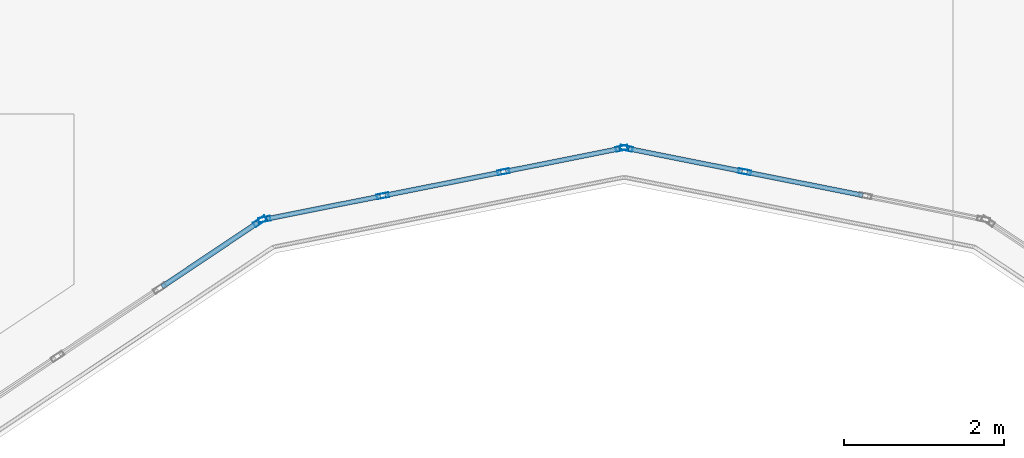
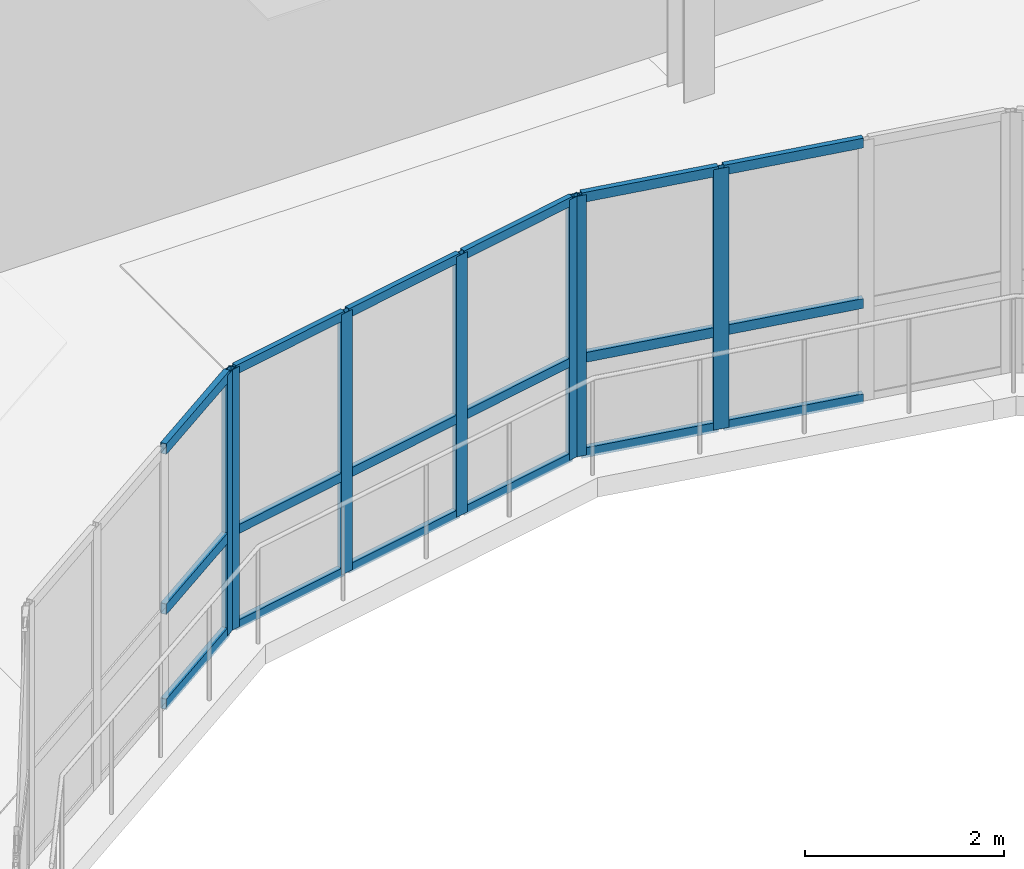
# One storey, part 28 of 104: 25 members, 3 elements without a shape of their own.
"""IFC4 building model written with IfcOpenShell, lengths in metres."""

from ifc_helpers import new_model, si_unit, direction, frame, origin, origin_2d, place, context, subcontext, project, spatial, hollow_rectangle, extrude, material, layer, layer_set, material_profile, profile_set, type_object, element, aggregate, save


model = new_model("IFC4")

# Units and contexts
model_context = context("Model", 3, precision=1e-05, world=origin(), true_north=direction((0.0, 1.0)))
body_context = subcontext(model_context, "Body", "Model", "MODEL_VIEW")
ifc_project = project(units=[si_unit("LENGTHUNIT", "METRE"), si_unit("AREAUNIT", "SQUARE_METRE"), si_unit("VOLUMEUNIT", "CUBIC_METRE"), si_unit("PLANEANGLEUNIT", "RADIAN"), si_unit("MASSUNIT", "GRAM", prefix="KILO"), si_unit("THERMODYNAMICTEMPERATUREUNIT", "KELVIN")], contexts=[model_context])

# Site, building, storey
site_placement = place(None, origin())
site = spatial("IfcSite", under=ifc_project, at=site_placement, CompositionType="ELEMENT")
building_placement = place(site_placement, origin())
building = spatial("IfcBuilding", under=site, at=building_placement, Name="Lustrewick Department Store", CompositionType="ELEMENT")
storey_placement = place(building_placement, frame((0.0, 0.0, 11.39990234375)))
storey = spatial("IfcBuildingStorey", under=building, at=storey_placement, Name="L03", CompositionType="ELEMENT", Elevation=11.39990234375)

# Curtain wall, members
ifc_material = material(Name="Thermally broken aluminium 6063-T5", Category="aluminium")
ifc_layer_1 = layer(ifc_material, 0.169921875, Name="Thermally broken aluminium 6063-T5")
ifc_layer_set_1 = layer_set([ifc_layer_1], Name="Thermally broken aluminium 6063-T5")
curtain_wall_type_1 = type_object("IfcCurtainWallType", Name="CW16", PredefinedType="NOTDEFINED", material=ifc_layer_set_1)
curtain_wall_1_placement = place(storey_placement, origin())
curtain_wall_1 = element("IfcCurtainWall", 1, at=curtain_wall_1_placement, inside=storey, type_object=curtain_wall_type_1, Name="L03 Atrium Glazed Screen CW16", PredefinedType="NOTDEFINED")
ifc_material_profile_1 = material_profile(ifc_material, hollow_rectangle(XDim=0.06494140625, YDim=0.169921875, WallThickness=0.00390625, at=origin_2d()), Name="ALU-M 65x170x4")
ifc_profile_set_1 = profile_set([ifc_material_profile_1], Name="Thermally broken aluminium 6063-T5")
member_type_1 = type_object("IfcMemberType", Name="CW16-M1", PredefinedType="MULLION", material=ifc_profile_set_1)
member_1_placement = place(storey_placement, frame((24.838134765625, 78.1298828125, 0.0), z_axis=(0.0, 0.0, 1.0), x_axis=(0.555578313862, -0.831464212799, 0.0)))
member_1 = element("IfcMember", 2, at=member_1_placement, type_object=member_type_1, Name="CW16 mullion 1", PredefinedType="MULLION", context=body_context, shape_type="SweptSolid", body=[
    extrude(hollow_rectangle(XDim=0.06494140625, YDim=0.169921875, WallThickness=0.00390625, at=origin_2d()), origin(), (0.0, 0.0, 1.0), 3.2001953125),
])
ifc_material_profile_2 = material_profile(ifc_material, hollow_rectangle(XDim=0.06494140625, YDim=0.1298828125, WallThickness=0.00341796875, at=origin_2d()), Name="ALU-T 65x130x3.5")
ifc_profile_set_2 = profile_set([ifc_material_profile_2], Name="Thermally broken aluminium 6063-T5")
member_type_2 = type_object("IfcMemberType", Name="CW16-T1", PredefinedType="USERDEFINED", material=ifc_profile_set_2)
member_2_placement = place(storey_placement, frame((24.81103515625, 78.11181640625, 0.03271484375), z_axis=(-0.831451344126, -0.555597572305, 0.0), x_axis=(0.555597572305, -0.831451344126, 0.0)))
member_2 = element("IfcMember", 3, at=member_2_placement, type_object=member_type_2, Name="CW16 transom 1.1", ObjectType="TRANSOM", PredefinedType="USERDEFINED", context=body_context, shape_type="SweptSolid", body=[
    extrude(hollow_rectangle(XDim=0.06494140625, YDim=0.1298828125, WallThickness=0.00341796875, at=origin_2d()), origin(), (0.0, 0.0, 1.0), 1.443603515625),
])
member_3_placement = place(storey_placement, frame((24.81103515625, 78.11181640625, 1.2001953125), z_axis=(-0.831451344126, -0.555597572305, 0.0), x_axis=(0.555597572305, -0.831451344126, 0.0)))
member_3 = element("IfcMember", 4, at=member_3_placement, type_object=member_type_2, Name="CW16 transom 1.2", ObjectType="TRANSOM", PredefinedType="USERDEFINED", context=body_context, shape_type="SweptSolid", body=[
    extrude(hollow_rectangle(XDim=0.06494140625, YDim=0.1298828125, WallThickness=0.00341796875, at=origin_2d()), origin(), (0.0, 0.0, 1.0), 1.443603515625),
])
member_4_placement = place(storey_placement, frame((24.81103515625, 78.11181640625, 3.16748046875), z_axis=(-0.831451344126, -0.555597572305, 0.0), x_axis=(0.555597572305, -0.831451344126, 0.0)))
member_4 = element("IfcMember", 5, at=member_4_placement, type_object=member_type_2, Name="CW16 transom 1.3", ObjectType="TRANSOM", PredefinedType="USERDEFINED", context=body_context, shape_type="SweptSolid", body=[
    extrude(hollow_rectangle(XDim=0.06494140625, YDim=0.1298828125, WallThickness=0.00341796875, at=origin_2d()), origin(), (0.0, 0.0, 1.0), 1.443603515625),
])
aggregate(curtain_wall_1, [member_1, member_2, member_3, member_4])

ifc_layer_2 = layer(ifc_material, 0.159912109375, Name="Thermally broken aluminium 6063-T5")
ifc_layer_set_2 = layer_set([ifc_layer_2], Name="Thermally broken aluminium 6063-T5")
curtain_wall_type_2 = type_object("IfcCurtainWallType", Name="CW17", PredefinedType="NOTDEFINED", material=ifc_layer_set_2)
curtain_wall_2_placement = place(storey_placement, origin())
curtain_wall_2 = element("IfcCurtainWall", 6, at=curtain_wall_2_placement, inside=storey, type_object=curtain_wall_type_2, Name="L03 Atrium Glazed Screen CW17", PredefinedType="NOTDEFINED")
ifc_material_profile_3 = material_profile(ifc_material, hollow_rectangle(XDim=0.06005859375, YDim=0.159912109375, WallThickness=0.00390625, at=origin_2d()), Name="ALU-M 60x160x4")
ifc_profile_set_3 = profile_set([ifc_material_profile_3], Name="Thermally broken aluminium 6063-T5")
member_type_3 = type_object("IfcMemberType", Name="CW17-M1", PredefinedType="MULLION", material=ifc_profile_set_3)
member_5_placement = place(storey_placement, frame((30.91162109375, 78.749267578125, 0.0), z_axis=(0.0, 0.0, 1.0), x_axis=(-0.195084537521, -0.980786430993, 0.0)))
member_5 = element("IfcMember", 7, at=member_5_placement, type_object=member_type_3, Name="CW17 mullion 3", PredefinedType="MULLION", context=body_context, shape_type="SweptSolid", body=[
    extrude(hollow_rectangle(XDim=0.06005859375, YDim=0.159912109375, WallThickness=0.00390625, at=origin_2d()), origin(), (0.0, 0.0, 1.0), 3.2001953125),
])
member_6_placement = place(storey_placement, frame((29.429443359375, 79.044189453125, 0.0), z_axis=(0.0, 0.0, 1.0), x_axis=(-0.195084537521, -0.980786430993, 0.0)))
member_6 = element("IfcMember", 8, at=member_6_placement, type_object=member_type_3, Name="CW17 mullion 4", PredefinedType="MULLION", context=body_context, shape_type="SweptSolid", body=[
    extrude(hollow_rectangle(XDim=0.06005859375, YDim=0.159912109375, WallThickness=0.00390625, at=origin_2d()), origin(), (0.0, 0.0, 1.0), 3.2001953125),
])
ifc_material_profile_4 = material_profile(ifc_material, hollow_rectangle(XDim=0.06005859375, YDim=0.1201171875, WallThickness=0.00341796875, at=origin_2d()), Name="ALU-T 60x120x3.5")
ifc_profile_set_4 = profile_set([ifc_material_profile_4], Name="Thermally broken aluminium 6063-T5")
member_type_4 = type_object("IfcMemberType", Name="CW17-T1", PredefinedType="USERDEFINED", material=ifc_profile_set_4)
member_7_placement = place(storey_placement, frame((32.393798828125, 78.45458984375, 0.030029296875), z_axis=(-0.980808215859, 0.194974982249, 0.0), x_axis=(-0.194974982249, -0.980808215859, 0.0)))
member_7 = element("IfcMember", 9, at=member_7_placement, type_object=member_type_4, Name="CW17 transom 2.1", ObjectType="TRANSOM", PredefinedType="USERDEFINED", context=body_context, shape_type="SweptSolid", body=[
    extrude(hollow_rectangle(XDim=0.06005859375, YDim=0.1201171875, WallThickness=0.00341796875, at=origin_2d()), origin(), (0.0, 0.0, 1.0), 1.481201171875),
])
member_8_placement = place(storey_placement, frame((32.393798828125, 78.45458984375, 1.2001953125), z_axis=(-0.980808215859, 0.194974982249, 0.0), x_axis=(-0.194974982249, -0.980808215859, 0.0)))
member_8 = element("IfcMember", 10, at=member_8_placement, type_object=member_type_4, Name="CW17 transom 2.2", ObjectType="TRANSOM", PredefinedType="USERDEFINED", context=body_context, shape_type="SweptSolid", body=[
    extrude(hollow_rectangle(XDim=0.06005859375, YDim=0.1201171875, WallThickness=0.00341796875, at=origin_2d()), origin(), (0.0, 0.0, 1.0), 1.481201171875),
])
member_9_placement = place(storey_placement, frame((32.393798828125, 78.45458984375, 3.170166015625), z_axis=(-0.980808215859, 0.194974982249, 0.0), x_axis=(-0.194974982249, -0.980808215859, 0.0)))
member_9 = element("IfcMember", 11, at=member_9_placement, type_object=member_type_4, Name="CW17 transom 2.3", ObjectType="TRANSOM", PredefinedType="USERDEFINED", context=body_context, shape_type="SweptSolid", body=[
    extrude(hollow_rectangle(XDim=0.06005859375, YDim=0.1201171875, WallThickness=0.00341796875, at=origin_2d()), origin(), (0.0, 0.0, 1.0), 1.481201171875),
])
member_10_placement = place(storey_placement, frame((30.882080078125, 78.755126953125, 0.030029296875), z_axis=(-0.980774305612, 0.195145487909, 0.0), x_axis=(-0.195145487909, -0.980774305612, 0.0)))
member_10 = element("IfcMember", 12, at=member_10_placement, type_object=member_type_4, Name="CW17 transom 3.1", ObjectType="TRANSOM", PredefinedType="USERDEFINED", context=body_context, shape_type="SweptSolid", body=[
    extrude(hollow_rectangle(XDim=0.06005859375, YDim=0.1201171875, WallThickness=0.00341796875, at=origin_2d()), origin(), (0.0, 0.0, 1.0), 1.451171875),
])
member_11_placement = place(storey_placement, frame((30.882080078125, 78.755126953125, 1.2001953125), z_axis=(-0.980774305612, 0.195145487909, 0.0), x_axis=(-0.195145487909, -0.980774305612, 0.0)))
member_11 = element("IfcMember", 13, at=member_11_placement, type_object=member_type_4, Name="CW17 transom 3.2", ObjectType="TRANSOM", PredefinedType="USERDEFINED", context=body_context, shape_type="SweptSolid", body=[
    extrude(hollow_rectangle(XDim=0.06005859375, YDim=0.1201171875, WallThickness=0.00341796875, at=origin_2d()), origin(), (0.0, 0.0, 1.0), 1.451171875),
])
member_12_placement = place(storey_placement, frame((30.882080078125, 78.755126953125, 3.170166015625), z_axis=(-0.980774305612, 0.195145487909, 0.0), x_axis=(-0.195145487909, -0.980774305612, 0.0)))
member_12 = element("IfcMember", 14, at=member_12_placement, type_object=member_type_4, Name="CW17 transom 3.3", ObjectType="TRANSOM", PredefinedType="USERDEFINED", context=body_context, shape_type="SweptSolid", body=[
    extrude(hollow_rectangle(XDim=0.06005859375, YDim=0.1201171875, WallThickness=0.00341796875, at=origin_2d()), origin(), (0.0, 0.0, 1.0), 1.451171875),
])
aggregate(curtain_wall_2, [member_5, member_6, member_7, member_8, member_9, member_10, member_11, member_12])

ifc_layer_3 = layer(ifc_material, 0.14990234375, Name="Thermally broken aluminium 6063-T5")
ifc_layer_set_3 = layer_set([ifc_layer_3], Name="Thermally broken aluminium 6063-T5")
curtain_wall_type_3 = type_object("IfcCurtainWallType", Name="CW18", PredefinedType="NOTDEFINED", material=ifc_layer_set_3)
curtain_wall_3_placement = place(storey_placement, origin())
curtain_wall_3 = element("IfcCurtainWall", 15, at=curtain_wall_3_placement, inside=storey, type_object=curtain_wall_type_3, Name="L03 Atrium Glazed Screen CW18", PredefinedType="NOTDEFINED")
ifc_material_profile_5 = material_profile(ifc_material, hollow_rectangle(XDim=0.06005859375, YDim=0.14990234375, WallThickness=0.00341796875, at=origin_2d()), Name="ALU-M 60x150x3.5")
ifc_profile_set_5 = profile_set([ifc_material_profile_5], Name="Thermally broken aluminium 6063-T5")
member_type_5 = type_object("IfcMemberType", Name="CW18-M1", PredefinedType="MULLION", material=ifc_profile_set_5)
member_13_placement = place(storey_placement, frame((29.37060546875, 79.044189453125, 0.0), z_axis=(0.0, 0.0, 1.0), x_axis=(0.195084537521, -0.980786430993, 0.0)))
member_13 = element("IfcMember", 16, at=member_13_placement, type_object=member_type_5, Name="CW18 mullion 1", PredefinedType="MULLION", context=body_context, shape_type="SweptSolid", body=[
    extrude(hollow_rectangle(XDim=0.06005859375, YDim=0.14990234375, WallThickness=0.00341796875, at=origin_2d()), origin(), (0.0, 0.0, 1.0), 3.2001953125),
])
member_14_placement = place(storey_placement, frame((27.888427734375, 78.749267578125, 0.0), z_axis=(0.0, 0.0, 1.0), x_axis=(0.195084537521, -0.980786430993, 0.0)))
member_14 = element("IfcMember", 17, at=member_14_placement, type_object=member_type_5, Name="CW18 mullion 2", PredefinedType="MULLION", context=body_context, shape_type="SweptSolid", body=[
    extrude(hollow_rectangle(XDim=0.06005859375, YDim=0.14990234375, WallThickness=0.00341796875, at=origin_2d()), origin(), (0.0, 0.0, 1.0), 3.2001953125),
])
member_15_placement = place(storey_placement, frame((26.376708984375, 78.44873046875, 0.0), z_axis=(0.0, 0.0, 1.0), x_axis=(0.195084537521, -0.980786430993, 0.0)))
member_15 = element("IfcMember", 18, at=member_15_placement, type_object=member_type_5, Name="CW18 mullion 3", PredefinedType="MULLION", context=body_context, shape_type="SweptSolid", body=[
    extrude(hollow_rectangle(XDim=0.06005859375, YDim=0.14990234375, WallThickness=0.00341796875, at=origin_2d()), origin(), (0.0, 0.0, 1.0), 3.2001953125),
])
member_16_placement = place(storey_placement, frame((24.89453125, 78.15380859375, 0.0), z_axis=(0.0, 0.0, 1.0), x_axis=(0.195084537521, -0.980786430993, 0.0)))
member_16 = element("IfcMember", 19, at=member_16_placement, type_object=member_type_5, Name="CW18 mullion 4", PredefinedType="MULLION", context=body_context, shape_type="SweptSolid", body=[
    extrude(hollow_rectangle(XDim=0.06005859375, YDim=0.14990234375, WallThickness=0.00341796875, at=origin_2d()), origin(), (0.0, 0.0, 1.0), 3.2001953125),
])
ifc_material_profile_6 = material_profile(ifc_material, hollow_rectangle(XDim=0.06005859375, YDim=0.110107421875, WallThickness=0.0029296875, at=origin_2d()), Name="ALU-T 60x110x3")
ifc_profile_set_6 = profile_set([ifc_material_profile_6], Name="Thermally broken aluminium 6063-T5")
member_type_6 = type_object("IfcMemberType", Name="CW18-T1", PredefinedType="USERDEFINED", material=ifc_profile_set_6)
member_17_placement = place(storey_placement, frame((29.341064453125, 79.038330078125, 0.030029296875), z_axis=(-0.980774305612, -0.195145487909, 0.0), x_axis=(0.195145487909, -0.980774305612, 0.0)))
member_17 = element("IfcMember", 20, at=member_17_placement, type_object=member_type_6, Name="CW18 transom 1.1", ObjectType="TRANSOM", PredefinedType="USERDEFINED", context=body_context, shape_type="SweptSolid", body=[
    extrude(hollow_rectangle(XDim=0.06005859375, YDim=0.110107421875, WallThickness=0.0029296875, at=origin_2d()), origin(), (0.0, 0.0, 1.0), 1.451171875),
])
member_18_placement = place(storey_placement, frame((29.341064453125, 79.038330078125, 1.2001953125), z_axis=(-0.980774305612, -0.195145487909, 0.0), x_axis=(0.195145487909, -0.980774305612, 0.0)))
member_18 = element("IfcMember", 21, at=member_18_placement, type_object=member_type_6, Name="CW18 transom 1.2", ObjectType="TRANSOM", PredefinedType="USERDEFINED", context=body_context, shape_type="SweptSolid", body=[
    extrude(hollow_rectangle(XDim=0.06005859375, YDim=0.110107421875, WallThickness=0.0029296875, at=origin_2d()), origin(), (0.0, 0.0, 1.0), 1.451171875),
])
member_19_placement = place(storey_placement, frame((29.341064453125, 79.038330078125, 3.170166015625), z_axis=(-0.980774305612, -0.195145487909, 0.0), x_axis=(0.195145487909, -0.980774305612, 0.0)))
member_19 = element("IfcMember", 22, at=member_19_placement, type_object=member_type_6, Name="CW18 transom 1.3", ObjectType="TRANSOM", PredefinedType="USERDEFINED", context=body_context, shape_type="SweptSolid", body=[
    extrude(hollow_rectangle(XDim=0.06005859375, YDim=0.110107421875, WallThickness=0.0029296875, at=origin_2d()), origin(), (0.0, 0.0, 1.0), 1.451171875),
])
member_20_placement = place(storey_placement, frame((27.85888671875, 78.743408203125, 0.030029296875), z_axis=(-0.980801948895, -0.195006505133, 0.0), x_axis=(0.195006505133, -0.980801948895, 0.0)))
member_20 = element("IfcMember", 23, at=member_20_placement, type_object=member_type_6, Name="CW18 transom 2.1", ObjectType="TRANSOM", PredefinedType="USERDEFINED", context=body_context, shape_type="SweptSolid", body=[
    extrude(hollow_rectangle(XDim=0.06005859375, YDim=0.110107421875, WallThickness=0.0029296875, at=origin_2d()), origin(), (0.0, 0.0, 1.0), 1.48095703125),
])
member_21_placement = place(storey_placement, frame((27.85888671875, 78.743408203125, 1.2001953125), z_axis=(-0.980801948895, -0.195006505133, 0.0), x_axis=(0.195006505133, -0.980801948895, 0.0)))
member_21 = element("IfcMember", 24, at=member_21_placement, type_object=member_type_6, Name="CW18 transom 2.2", ObjectType="TRANSOM", PredefinedType="USERDEFINED", context=body_context, shape_type="SweptSolid", body=[
    extrude(hollow_rectangle(XDim=0.06005859375, YDim=0.110107421875, WallThickness=0.0029296875, at=origin_2d()), origin(), (0.0, 0.0, 1.0), 1.48095703125),
])
member_22_placement = place(storey_placement, frame((27.85888671875, 78.743408203125, 3.170166015625), z_axis=(-0.980801948895, -0.195006505133, 0.0), x_axis=(0.195006505133, -0.980801948895, 0.0)))
member_22 = element("IfcMember", 25, at=member_22_placement, type_object=member_type_6, Name="CW18 transom 2.3", ObjectType="TRANSOM", PredefinedType="USERDEFINED", context=body_context, shape_type="SweptSolid", body=[
    extrude(hollow_rectangle(XDim=0.06005859375, YDim=0.110107421875, WallThickness=0.0029296875, at=origin_2d()), origin(), (0.0, 0.0, 1.0), 1.48095703125),
])
member_23_placement = place(storey_placement, frame((26.347412109375, 78.44287109375, 0.030029296875), z_axis=(-0.980774305612, -0.195145487909, 0.0), x_axis=(0.195145487909, -0.980774305612, 0.0)))
member_23 = element("IfcMember", 26, at=member_23_placement, type_object=member_type_6, Name="CW18 transom 3.1", ObjectType="TRANSOM", PredefinedType="USERDEFINED", context=body_context, shape_type="SweptSolid", body=[
    extrude(hollow_rectangle(XDim=0.06005859375, YDim=0.110107421875, WallThickness=0.0029296875, at=origin_2d()), origin(), (0.0, 0.0, 1.0), 1.451171875),
])
member_24_placement = place(storey_placement, frame((26.347412109375, 78.44287109375, 1.2001953125), z_axis=(-0.980774305612, -0.195145487909, 0.0), x_axis=(0.195145487909, -0.980774305612, 0.0)))
member_24 = element("IfcMember", 27, at=member_24_placement, type_object=member_type_6, Name="CW18 transom 3.2", ObjectType="TRANSOM", PredefinedType="USERDEFINED", context=body_context, shape_type="SweptSolid", body=[
    extrude(hollow_rectangle(XDim=0.06005859375, YDim=0.110107421875, WallThickness=0.0029296875, at=origin_2d()), origin(), (0.0, 0.0, 1.0), 1.451171875),
])
member_25_placement = place(storey_placement, frame((26.347412109375, 78.44287109375, 3.170166015625), z_axis=(-0.980774305612, -0.195145487909, 0.0), x_axis=(0.195145487909, -0.980774305612, 0.0)))
member_25 = element("IfcMember", 28, at=member_25_placement, type_object=member_type_6, Name="CW18 transom 3.3", ObjectType="TRANSOM", PredefinedType="USERDEFINED", context=body_context, shape_type="SweptSolid", body=[
    extrude(hollow_rectangle(XDim=0.06005859375, YDim=0.110107421875, WallThickness=0.0029296875, at=origin_2d()), origin(), (0.0, 0.0, 1.0), 1.451171875),
])
aggregate(curtain_wall_3, [member_13, member_14, member_15, member_16, member_17, member_18, member_19, member_20, member_21, member_22, member_23, member_24, member_25])

save(model, "model.ifc")
